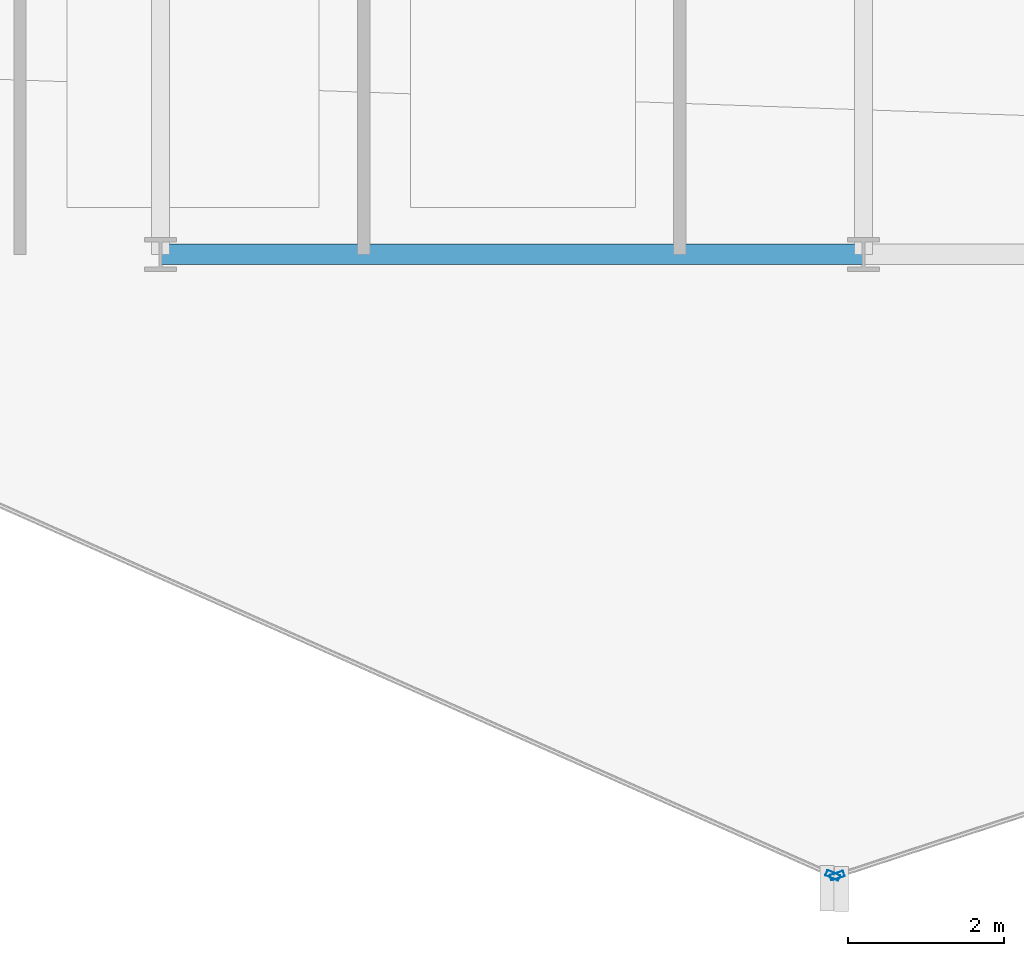
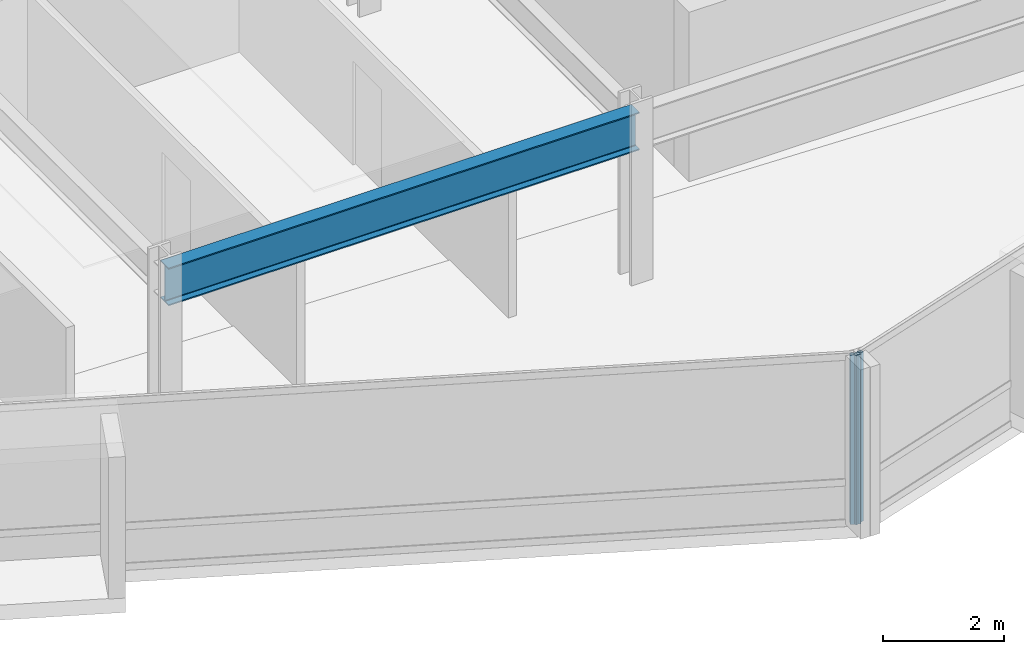
# One storey, part 4 of 28: 2 members, 1 beam, 2 elements without a shape of their own.
"""IFC4 building model written with IfcOpenShell, lengths in metres."""

import ifcopenshell
import ifcopenshell.guid

model = None  # the IFC model being written
_history = None  # IfcOwnerHistory: only IFC2X3 demands one
_inside = {}  # id of a spatial element -> (the spatial element, [elements in it])
_under = {}  # id of a project, library or spatial element -> (it, [spatial elements below it])
_declared = {}  # id of a project -> (the project, [libraries it declares])
_typed = {}  # id of a type object -> (the type object, [elements of that type])
_made_of = {}  # id of a material, layer set ... -> (it, [elements and type objects made of it])


def new_model(schema):
    """Start an empty IFC model of exactly this schema.

    Asked for "IFC4X3", IfcOpenShell would pick the latest addendum, in which some entities
    have other attributes; the version numbers below select the first issue.
    IFC2X3 requires an IfcOwnerHistory on every rooted entity: one is made here for all.
    """
    global model, _history
    if schema == "IFC4X3":
        model = ifcopenshell.file(schema_version=(4, 3, 0, 0))
    else:
        model = ifcopenshell.file(schema=schema)
    _inside.clear()
    _under.clear()
    _declared.clear()
    _typed.clear()
    _made_of.clear()
    _history = None
    if model.schema == "IFC2X3":
        org = make("IfcOrganization", Name="unknown")
        user = make(
            "IfcPersonAndOrganization",
            ThePerson=make("IfcPerson", FamilyName="unknown"),
            TheOrganization=org,
        )
        app = make(
            "IfcApplication",
            ApplicationDeveloper=org,
            Version="unknown",
            ApplicationFullName="unknown",
            ApplicationIdentifier="unknown",
        )
        _history = make(
            "IfcOwnerHistory",
            OwningUser=user,
            OwningApplication=app,
            ChangeAction="ADDED",
            CreationDate=0,
        )
    return model


def make(cls, **values):
    """One entity of the class cls with the attributes given. An attribute that is None is left unset."""
    return model.create_entity(
        cls, **{name: value for name, value in values.items() if value is not None}
    )


def rooted(cls, **values):
    """An entity with a GlobalId (a new one), such as an element, a storey or a relation."""
    return make(cls, GlobalId=ifcopenshell.guid.new(), OwnerHistory=_history, **values)


def si_unit(unit_type, name, prefix=None):
    """IfcSIUnit, for example si_unit("LENGTHUNIT", "METRE", prefix="MILLI")."""
    return make("IfcSIUnit", UnitType=unit_type, Prefix=prefix, Name=name)


def assignment(units):
    """IfcUnitAssignment: the units of a project."""
    return None if units is None else make("IfcUnitAssignment", Units=units)


def point(xyz):
    """IfcCartesianPoint."""
    return None if xyz is None else make("IfcCartesianPoint", Coordinates=xyz)


def direction(xyz):
    """IfcDirection."""
    return None if xyz is None else make("IfcDirection", DirectionRatios=xyz)


def frame(location, z_axis=None, x_axis=None):
    """IfcAxis2Placement3D, a coordinate frame: its origin and axes. An axis left out is left unset."""
    return make(
        "IfcAxis2Placement3D",
        Location=point(location),
        Axis=direction(z_axis),
        RefDirection=direction(x_axis),
    )


def frame_2d(location, x_axis=None):
    """IfcAxis2Placement2D, a coordinate frame in the plane: its origin and x axis."""
    return make(
        "IfcAxis2Placement2D", Location=point(location), RefDirection=direction(x_axis)
    )


def origin():
    """The frame at (0, 0, 0) with its axes left unset."""
    return frame((0.0, 0.0, 0.0))


def origin_2d():
    """The frame at (0, 0) in the plane with its x axis left unset."""
    return frame_2d((0.0, 0.0))


def place(relative_to, where):
    """IfcLocalPlacement: puts the frame where relative to a parent placement (None: the world)."""
    return make(
        "IfcLocalPlacement", PlacementRelTo=relative_to, RelativePlacement=where
    )


def context(
    kind, dimensions, precision=None, world=None, true_north=None, identifier=None
):
    """IfcGeometricRepresentationContext, for example the 3D "Model" context."""
    return make(
        "IfcGeometricRepresentationContext",
        ContextIdentifier=identifier,
        ContextType=kind,
        CoordinateSpaceDimension=dimensions,
        Precision=precision,
        WorldCoordinateSystem=world,
        TrueNorth=true_north,
    )


def subcontext(parent, identifier, kind, view, scale=None):
    """IfcGeometricRepresentationSubContext, for example "Body" below "Model"."""
    return make(
        "IfcGeometricRepresentationSubContext",
        ContextIdentifier=identifier,
        ContextType=kind,
        ParentContext=parent,
        TargetScale=scale,
        TargetView=view,
    )


def project(units=None, contexts=None):
    """IfcProject with its units and contexts."""
    return rooted(
        "IfcProject",
        Name="project",
        RepresentationContexts=contexts,
        UnitsInContext=assignment(units),
    )


def spatial(cls, under=None, at=None, **own):
    """A site, building, storey or space (cls), placed at a placement, below another one or the project."""
    s = rooted(cls, ObjectPlacement=at, **own)
    if under is not None:
        _under.setdefault(under.id(), (under, []))[1].append(s)
    return s


def profile(cls, at=None, kind="AREA", **sizes):
    """A parametric profile (cls). Its sizes go by their IFC names, for example OverallWidth=200.0."""
    return make(cls, ProfileType=kind, Position=at, **sizes)


def hollow_rectangle(**sizes):
    """IfcRectangleHollowProfileDef."""
    return profile("IfcRectangleHollowProfileDef", **sizes)


def i_section(**sizes):
    """IfcIShapeProfileDef."""
    return profile("IfcIShapeProfileDef", **sizes)


def extrude(swept, where, along, depth):
    """IfcExtrudedAreaSolid: the profile swept, set in the frame where, extruded along a direction by depth."""
    return make(
        "IfcExtrudedAreaSolid",
        SweptArea=swept,
        Position=where,
        ExtrudedDirection=direction(along),
        Depth=depth,
    )


def shape(context_of_items, identifier, shape_type, items):
    """IfcShapeRepresentation: the items that make up one representation, for example the "Body"."""
    return make(
        "IfcShapeRepresentation",
        ContextOfItems=context_of_items,
        RepresentationIdentifier=identifier,
        RepresentationType=shape_type,
        Items=items,
    )


def material(Name=None, Category=None):
    """IfcMaterial."""
    return make("IfcMaterial", Name=Name, Category=Category)


def layer(
    of_material, thickness, ventilated=None, Name=None, Category=None, Priority=None
):
    """IfcMaterialLayer: one layer of a wall or slab, of a material (None: an air gap)."""
    return make(
        "IfcMaterialLayer",
        Material=of_material,
        LayerThickness=thickness,
        IsVentilated=ventilated,
        Name=Name,
        Category=Category,
        Priority=Priority,
    )


def layer_set(layers, Name=None):
    """IfcMaterialLayerSet."""
    return make("IfcMaterialLayerSet", MaterialLayers=layers, LayerSetName=Name)


def material_profile(
    of_material, cross_section, Name=None, Category=None, Priority=None
):
    """IfcMaterialProfile: a cross section and its material."""
    return make(
        "IfcMaterialProfile",
        Name=Name,
        Material=of_material,
        Profile=cross_section,
        Priority=Priority,
        Category=Category,
    )


def profile_set(profiles, Name=None, composite=None):
    """IfcMaterialProfileSet."""
    return make(
        "IfcMaterialProfileSet",
        Name=Name,
        MaterialProfiles=profiles,
        CompositeProfile=composite,
    )


def made_of(thing, what):
    """Note that an element or type object is made of a material, layer set ...; save() writes the relation."""
    if what is not None:
        _made_of.setdefault(what.id(), (what, []))[1].append(thing)
    return thing


def type_object(cls, material=None, **own):
    """A type object (cls), such as IfcWallType, which elements share."""
    return made_of(rooted(cls, **own), material)


def element(
    cls,
    number,
    at=None,
    inside=None,
    cuts=None,
    type_object=None,
    material=None,
    context=None,
    identifier="Body",
    shape_type=None,
    held_by="IfcProductDefinitionShape",
    body=None,
    shapes=None,
    **own,
):
    """One element of the class cls, such as IfcWall. Its Tag is "e" and its number.

    at: its placement. inside: the storey or other place that contains it. cuts: it is an
    opening in that element (IfcRelVoidsElement). A single representation is given by context,
    identifier, shape_type and body (its items); several are given by shapes. held_by: the class
    of the entity that holds the representations. save() writes the other relations.
    """
    e = rooted(cls, Tag="e%d" % number, ObjectPlacement=at, **own)
    if body is not None:
        shapes = [shape(context, identifier, shape_type, body)]
    if shapes is not None:
        e.Representation = make(held_by, Representations=shapes)
    if inside is not None:
        _inside.setdefault(inside.id(), (inside, []))[1].append(e)
    if cuts is not None:
        rooted(
            "IfcRelVoidsElement", RelatingBuildingElement=cuts, RelatedOpeningElement=e
        )
    if type_object is not None:
        _typed.setdefault(type_object.id(), (type_object, []))[1].append(e)
    return made_of(e, material)


def aggregate(whole, parts):
    """IfcRelAggregates: a whole, such as a stair, and the parts it consists of."""
    return rooted("IfcRelAggregates", RelatingObject=whole, RelatedObjects=parts)


def save(model, path):
    """Write the relations noted so far, then the file.

    IfcRelAggregates (storeys below a building ...), IfcRelContainedInSpatialStructure (elements
    in a storey), IfcRelDefinesByType, IfcRelAssociatesMaterial and IfcRelDeclares: one each for
    every whole, place, type object, material and project.
    """
    for whole, parts in _under.values():
        aggregate(whole, parts)
    for where, things in _inside.values():
        rooted(
            "IfcRelContainedInSpatialStructure",
            RelatedElements=things,
            RelatingStructure=where,
        )
    for kind, things in _typed.values():
        rooted("IfcRelDefinesByType", RelatedObjects=things, RelatingType=kind)
    for what, things in _made_of.values():
        rooted("IfcRelAssociatesMaterial", RelatedObjects=things, RelatingMaterial=what)
    for by, libraries in _declared.values():
        rooted("IfcRelDeclares", RelatingContext=by, RelatedDefinitions=libraries)
    model.write(path)


model = new_model("IFC4")

# Units and contexts
model_context = context("Model", 3, precision=1e-05, world=origin(), true_north=direction((0.0, 1.0)))
body_context = subcontext(model_context, "Body", "Model", "MODEL_VIEW")
ifc_project = project(units=[si_unit("LENGTHUNIT", "METRE"), si_unit("AREAUNIT", "SQUARE_METRE"), si_unit("VOLUMEUNIT", "CUBIC_METRE"), si_unit("PLANEANGLEUNIT", "RADIAN"), si_unit("MASSUNIT", "GRAM", prefix="KILO")], contexts=[model_context])

# Site, building, storey
site_placement = place(None, origin())
site = spatial("IfcSite", under=ifc_project, at=site_placement, CompositionType="ELEMENT")
building_placement = place(site_placement, origin())
building = spatial("IfcBuilding", under=site, at=building_placement, Name="Solvaryn Broadcast Tower", CompositionType="ELEMENT")
storey_placement = place(building_placement, frame((0.0, 0.0, 154.39990234375)))
storey = spatial("IfcBuildingStorey", under=building, at=storey_placement, Name="L38", CompositionType="ELEMENT", Elevation=154.39990234375)

# Beam
ifc_material_1 = material(Name="Steel ASTM A992 Grade 50", Category="steel")
ifc_material_profile_1 = material_profile(ifc_material_1, i_section(OverallWidth=0.26708984375, OverallDepth=0.76611328125, WebThickness=0.014892578125, FlangeThickness=0.023681640625, FilletRadius=0.01806640625, at=origin_2d()))
ifc_profile_set_1 = profile_set([ifc_material_profile_1], Name="Steel ASTM A992 Grade 50")
beam_type = type_object("IfcBeamType", Name="BM-SP2-W30X124", PredefinedType="USERDEFINED", material=ifc_profile_set_1)
beam_placement = place(storey_placement, frame((18.0, 9.0, 3.037109375), z_axis=(1.0, 0.0, 0.0), x_axis=(0.0, 1.0, 0.0)))
element("IfcBeam", 1, at=beam_placement, inside=storey, type_object=beam_type, Name="L38 Spandrel Beam X (18-27 @ Y=9)", ObjectType="SPANDREL", PredefinedType="USERDEFINED", context=body_context, shape_type="SweptSolid", body=[
    extrude(i_section(OverallWidth=0.26708984375, OverallDepth=0.76611328125, WebThickness=0.014892578125, FlangeThickness=0.023681640625, FilletRadius=0.01806640625, at=origin_2d()), origin(), (0.0, 0.0, 1.0), 9.0),
])

# Curtain wall, member
ifc_material_2 = material(Name="Aluminium and Terracotta Unitised Curtain Wall", Category="masonry")
ifc_layer = layer(ifc_material_2, 0.199951171875)
ifc_layer_set = layer_set([ifc_layer], Name="CW-SYS2-LOWMID")
curtain_wall_type = type_object("IfcCurtainWallType", Name="CW-SYS2-LOWMID", PredefinedType="NOTDEFINED", material=ifc_layer_set)
curtain_wall_1_placement = place(storey_placement, origin())
curtain_wall_1 = element("IfcCurtainWall", 2, at=curtain_wall_1_placement, inside=storey, type_object=curtain_wall_type, Name="L38 Curtain Wall DR3", PredefinedType="NOTDEFINED")
ifc_material_3 = material(Name="Anodised Aluminium 6063-T6", Category="aluminium")
ifc_material_profile_2 = material_profile(ifc_material_3, hollow_rectangle(XDim=0.074951171875, YDim=0.179931640625, WallThickness=0.00390625, InnerFilletRadius=0.00390625, OuterFilletRadius=0.008056640625, at=origin_2d()))
ifc_profile_set_2 = profile_set([ifc_material_profile_2], Name="Anodised Aluminium 6063-T6")
member_type = type_object("IfcMemberType", Name="CW-MUL-180", PredefinedType="MULLION", material=ifc_profile_set_2)
member_1_placement = place(storey_placement, frame((26.608642578125, 1.046142578125, 0.0), z_axis=(0.0, 0.0, 1.0), x_axis=(0.405918429309, 0.913909311008, 0.0)))
member_1 = element("IfcMember", 3, at=member_1_placement, type_object=member_type, Name="CWS2 mullion 2", PredefinedType="MULLION", context=body_context, shape_type="SweptSolid", body=[
    extrude(hollow_rectangle(XDim=0.074951171875, YDim=0.179931640625, WallThickness=0.00390625, InnerFilletRadius=0.00390625, OuterFilletRadius=0.008056640625, at=origin_2d()), origin(), (0.0, 0.0, 1.0), 3.420166015625),
])
aggregate(curtain_wall_1, [member_1])

curtain_wall_2_placement = place(storey_placement, origin())
curtain_wall_2 = element("IfcCurtainWall", 4, at=curtain_wall_2_placement, inside=storey, type_object=curtain_wall_type, Name="L38 Curtain Wall DR4", PredefinedType="NOTDEFINED")
member_2_placement = place(storey_placement, frame((26.66455078125, 1.04345703125, 0.0), z_axis=(0.0, 0.0, 1.0), x_axis=(-0.311646057547, 0.950198260794, 0.0)))
member_2 = element("IfcMember", 5, at=member_2_placement, type_object=member_type, Name="CWS2 mullion 1", PredefinedType="MULLION", context=body_context, shape_type="SweptSolid", body=[
    extrude(hollow_rectangle(XDim=0.074951171875, YDim=0.179931640625, WallThickness=0.00390625, InnerFilletRadius=0.00390625, OuterFilletRadius=0.008056640625, at=origin_2d()), origin(), (0.0, 0.0, 1.0), 3.420166015625),
])
aggregate(curtain_wall_2, [member_2])

save(model, "model.ifc")
